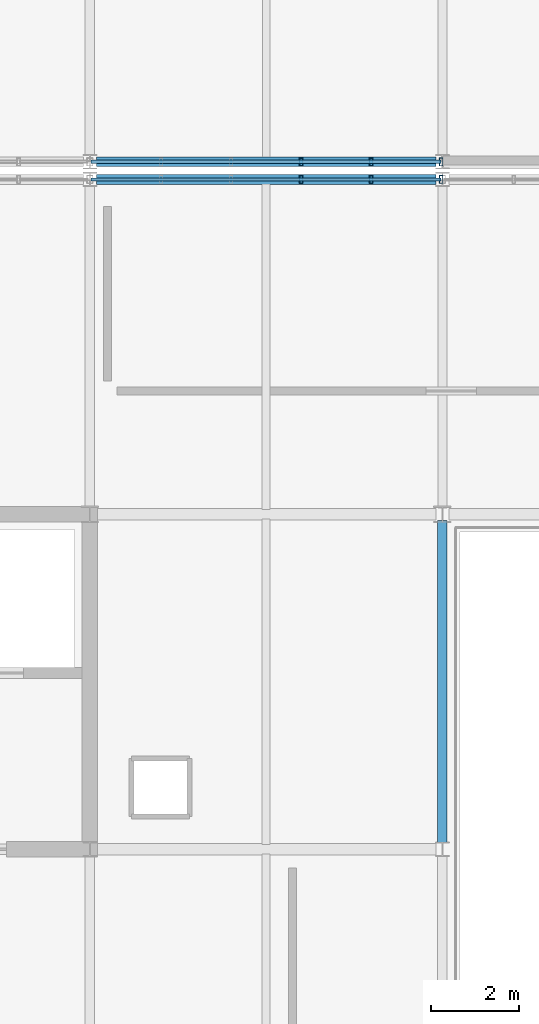
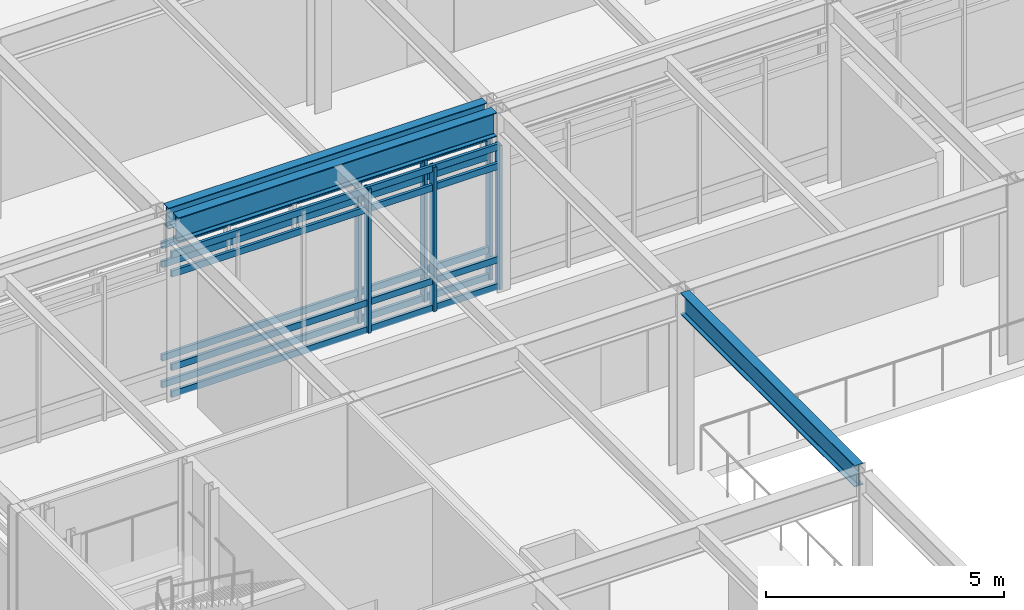
# One storey, part 48 of 104: 14 members, 3 beams, 2 elements without a shape of their own.
"""IFC4 building model written with IfcOpenShell, lengths in metres."""

from ifc_helpers import new_model, si_unit, direction, frame, origin, origin_2d, place, context, subcontext, project, spatial, hollow_rectangle, i_section, extrude, material, material_profile, profile_set, type_object, element, aggregate, save


model = new_model("IFC4")

# Units and contexts
model_context = context("Model", 3, precision=1e-05, world=origin(), true_north=direction((0.0, 1.0)))
body_context = subcontext(model_context, "Body", "Model", "MODEL_VIEW")
ifc_project = project(units=[si_unit("LENGTHUNIT", "METRE"), si_unit("AREAUNIT", "SQUARE_METRE"), si_unit("VOLUMEUNIT", "CUBIC_METRE"), si_unit("PLANEANGLEUNIT", "RADIAN"), si_unit("MASSUNIT", "GRAM", prefix="KILO")], contexts=[model_context])

# Site, building, storey
site_placement = place(None, origin())
site = spatial("IfcSite", under=ifc_project, at=site_placement, CompositionType="ELEMENT")
building_placement = place(site_placement, origin())
building = spatial("IfcBuilding", under=site, at=building_placement, Name="Zulena Civic Courthouse", CompositionType="ELEMENT")
storey_placement = place(building_placement, frame((0.0, 0.0, 10.800048828125)))
storey = spatial("IfcBuildingStorey", under=building, at=storey_placement, Name="L02", CompositionType="ELEMENT", Elevation=10.800048828125)

# Curtain wall, members
ifc_material_1 = material(Name="Double-silver low-E laminated solar-control glass", Category="glass")
curtain_wall_type = type_object("IfcCurtainWallType", Name="CW_7940x3690", PredefinedType="USERDEFINED", material=ifc_material_1)
curtain_wall_1_placement = place(storey_placement, origin())
curtain_wall_1 = element("IfcCurtainWall", 1, at=curtain_wall_1_placement, inside=storey, type_object=curtain_wall_type, Name="cw:V4:L02:1:1", ObjectType="UNITISED CURTAIN WALL", PredefinedType="USERDEFINED")
ifc_material_2 = material(Name="Bronze anodised thermally broken aluminium AA6063-T6", Category="aluminium")
ifc_material_profile_1 = material_profile(ifc_material_2, hollow_rectangle(XDim=0.074951171875, YDim=0.179931640625, WallThickness=0.0048828125, at=origin_2d()), Name="CWM180X75X5")
ifc_profile_set_1 = profile_set([ifc_material_profile_1], Name="Bronze anodised thermally broken aluminium AA6063-T6")
member_type_1 = type_object("IfcMemberType", Name="CWMullion_180x75", PredefinedType="MULLION", material=ifc_profile_set_1)
member_1_placement = place(storey_placement, frame((80.7939453125, 45.60009765625, 0.0), z_axis=(0.0, 0.0, 1.0), x_axis=(1.0, 0.0, 0.0)))
member_1 = element("IfcMember", 2, at=member_1_placement, type_object=member_type_1, Name="cw:V4:L02:1:1:mull:3", PredefinedType="MULLION", context=body_context, shape_type="SweptSolid", body=[
    extrude(hollow_rectangle(XDim=0.074951171875, YDim=0.179931640625, WallThickness=0.0048828125, at=origin_2d()), origin(), (0.0, 0.0, 1.0), 3.68994140625),
])
member_2_placement = place(storey_placement, frame((82.382080078125, 45.60009765625, 0.0), z_axis=(0.0, 0.0, 1.0), x_axis=(1.0, 0.0, 0.0)))
member_2 = element("IfcMember", 3, at=member_2_placement, type_object=member_type_1, Name="cw:V4:L02:1:1:mull:4", PredefinedType="MULLION", context=body_context, shape_type="SweptSolid", body=[
    extrude(hollow_rectangle(XDim=0.074951171875, YDim=0.179931640625, WallThickness=0.0048828125, at=origin_2d()), origin(), (0.0, 0.0, 1.0), 3.68994140625),
])
member_3_placement = place(storey_placement, frame((83.969970703125, 45.60009765625, 0.0), z_axis=(0.0, 0.0, 1.0), x_axis=(1.0, 0.0, 0.0)))
member_3 = element("IfcMember", 4, at=member_3_placement, type_object=member_type_1, Name="cw:V4:L02:1:1:mull:5", PredefinedType="MULLION", context=body_context, shape_type="SweptSolid", body=[
    extrude(hollow_rectangle(XDim=0.074951171875, YDim=0.179931640625, WallThickness=0.0048828125, at=origin_2d()), origin(), (0.0, 0.0, 1.0), 3.68994140625),
])

curtain_wall_2_placement = place(storey_placement, origin())
curtain_wall_2 = element("IfcCurtainWall", 5, at=curtain_wall_2_placement, inside=storey, type_object=curtain_wall_type, Name="cw:V5:L02:5:3", ObjectType="UNITISED CURTAIN WALL", PredefinedType="USERDEFINED")
member_4_placement = place(storey_placement, frame((83.969970703125, 46.0, 0.0), z_axis=(0.0, 0.0, 1.0), x_axis=(1.0, 0.0, 0.0)))
member_4 = element("IfcMember", 6, at=member_4_placement, type_object=member_type_1, Name="cw:V5:L02:5:3:mull:0", PredefinedType="MULLION", context=body_context, shape_type="SweptSolid", body=[
    extrude(hollow_rectangle(XDim=0.074951171875, YDim=0.179931640625, WallThickness=0.0048828125, at=origin_2d()), origin(), (0.0, 0.0, 1.0), 3.68994140625),
])
member_5_placement = place(storey_placement, frame((82.382080078125, 46.0, 0.0), z_axis=(0.0, 0.0, 1.0), x_axis=(1.0, 0.0, 0.0)))
member_5 = element("IfcMember", 7, at=member_5_placement, type_object=member_type_1, Name="cw:V5:L02:5:3:mull:1", PredefinedType="MULLION", context=body_context, shape_type="SweptSolid", body=[
    extrude(hollow_rectangle(XDim=0.074951171875, YDim=0.179931640625, WallThickness=0.0048828125, at=origin_2d()), origin(), (0.0, 0.0, 1.0), 3.68994140625),
])
member_6_placement = place(storey_placement, frame((80.7939453125, 46.0, 0.0), z_axis=(0.0, 0.0, 1.0), x_axis=(1.0, 0.0, 0.0)))
member_6 = element("IfcMember", 8, at=member_6_placement, type_object=member_type_1, Name="cw:V5:L02:5:3:mull:2", PredefinedType="MULLION", context=body_context, shape_type="SweptSolid", body=[
    extrude(hollow_rectangle(XDim=0.074951171875, YDim=0.179931640625, WallThickness=0.0048828125, at=origin_2d()), origin(), (0.0, 0.0, 1.0), 3.68994140625),
])

# Member
ifc_material_profile_2 = material_profile(ifc_material_2, hollow_rectangle(XDim=0.070068359375, YDim=0.1650390625, WallThickness=0.00390625, at=origin_2d()), Name="CWT165X70X4")
ifc_profile_set_2 = profile_set([ifc_material_profile_2], Name="Bronze anodised thermally broken aluminium AA6063-T6")
member_type_2 = type_object("IfcMemberType", Name="CWTransom_165x70", PredefinedType="USERDEFINED", material=ifc_profile_set_2)
member_7_placement = place(storey_placement, frame((76.030029296875, 45.60009765625, 0.06005859375), z_axis=(1.0, 0.0, 0.0), x_axis=(0.0, 1.0, 0.0)))
member_7 = element("IfcMember", 9, at=member_7_placement, type_object=member_type_2, Name="cw:V4:L02:1:1:tran:0", ObjectType="TRANSOM", PredefinedType="USERDEFINED", context=body_context, shape_type="SweptSolid", body=[
    extrude(hollow_rectangle(XDim=0.070068359375, YDim=0.1650390625, WallThickness=0.00390625, at=origin_2d()), origin(), (0.0, 0.0, 1.0), 7.93994140625),
])

member_8_placement = place(storey_placement, frame((76.030029296875, 45.60009765625, 0.75), z_axis=(1.0, 0.0, 0.0), x_axis=(0.0, 1.0, 0.0)))
member_8 = element("IfcMember", 10, at=member_8_placement, type_object=member_type_2, Name="cw:V4:L02:1:1:tran:1", ObjectType="TRANSOM", PredefinedType="USERDEFINED", context=body_context, shape_type="SweptSolid", body=[
    extrude(hollow_rectangle(XDim=0.070068359375, YDim=0.1650390625, WallThickness=0.00390625, at=origin_2d()), origin(), (0.0, 0.0, 1.0), 7.93994140625),
])

member_9_placement = place(storey_placement, frame((76.030029296875, 45.60009765625, 3.139892578125), z_axis=(1.0, 0.0, 0.0), x_axis=(0.0, 1.0, 0.0)))
member_9 = element("IfcMember", 11, at=member_9_placement, type_object=member_type_2, Name="cw:V4:L02:1:1:tran:2", ObjectType="TRANSOM", PredefinedType="USERDEFINED", context=body_context, shape_type="SweptSolid", body=[
    extrude(hollow_rectangle(XDim=0.070068359375, YDim=0.1650390625, WallThickness=0.00390625, at=origin_2d()), origin(), (0.0, 0.0, 1.0), 7.93994140625),
])

member_10_placement = place(storey_placement, frame((76.030029296875, 45.60009765625, 3.6298828125), z_axis=(1.0, 0.0, 0.0), x_axis=(0.0, 1.0, 0.0)))
member_10 = element("IfcMember", 12, at=member_10_placement, type_object=member_type_2, Name="cw:V4:L02:1:1:tran:3", ObjectType="TRANSOM", PredefinedType="USERDEFINED", context=body_context, shape_type="SweptSolid", body=[
    extrude(hollow_rectangle(XDim=0.070068359375, YDim=0.1650390625, WallThickness=0.00390625, at=origin_2d()), origin(), (0.0, 0.0, 1.0), 7.93994140625),
])

aggregate(curtain_wall_1, [member_1, member_2, member_3, member_7, member_8, member_9, member_10])

member_11_placement = place(storey_placement, frame((83.969970703125, 46.0, 0.06005859375), z_axis=(-1.0, 0.0, 0.0), x_axis=(0.0, -1.0, 0.0)))
member_11 = element("IfcMember", 13, at=member_11_placement, type_object=member_type_2, Name="cw:V5:L02:5:3:tran:0", ObjectType="TRANSOM", PredefinedType="USERDEFINED", context=body_context, shape_type="SweptSolid", body=[
    extrude(hollow_rectangle(XDim=0.070068359375, YDim=0.1650390625, WallThickness=0.00390625, at=origin_2d()), origin(), (0.0, 0.0, 1.0), 7.93994140625),
])

member_12_placement = place(storey_placement, frame((83.969970703125, 46.0, 0.75), z_axis=(-1.0, 0.0, 0.0), x_axis=(0.0, -1.0, 0.0)))
member_12 = element("IfcMember", 14, at=member_12_placement, type_object=member_type_2, Name="cw:V5:L02:5:3:tran:1", ObjectType="TRANSOM", PredefinedType="USERDEFINED", context=body_context, shape_type="SweptSolid", body=[
    extrude(hollow_rectangle(XDim=0.070068359375, YDim=0.1650390625, WallThickness=0.00390625, at=origin_2d()), origin(), (0.0, 0.0, 1.0), 7.93994140625),
])

member_13_placement = place(storey_placement, frame((83.969970703125, 46.0, 3.139892578125), z_axis=(-1.0, 0.0, 0.0), x_axis=(0.0, -1.0, 0.0)))
member_13 = element("IfcMember", 15, at=member_13_placement, type_object=member_type_2, Name="cw:V5:L02:5:3:tran:2", ObjectType="TRANSOM", PredefinedType="USERDEFINED", context=body_context, shape_type="SweptSolid", body=[
    extrude(hollow_rectangle(XDim=0.070068359375, YDim=0.1650390625, WallThickness=0.00390625, at=origin_2d()), origin(), (0.0, 0.0, 1.0), 7.93994140625),
])

member_14_placement = place(storey_placement, frame((83.969970703125, 46.0, 3.6298828125), z_axis=(-1.0, 0.0, 0.0), x_axis=(0.0, -1.0, 0.0)))
member_14 = element("IfcMember", 16, at=member_14_placement, type_object=member_type_2, Name="cw:V5:L02:5:3:tran:3", ObjectType="TRANSOM", PredefinedType="USERDEFINED", context=body_context, shape_type="SweptSolid", body=[
    extrude(hollow_rectangle(XDim=0.070068359375, YDim=0.1650390625, WallThickness=0.00390625, at=origin_2d()), origin(), (0.0, 0.0, 1.0), 7.93994140625),
])

aggregate(curtain_wall_2, [member_4, member_5, member_6, member_11, member_12, member_13, member_14])

# Beams
ifc_material_3 = material(Name="Steel ASTM A992 Grade 50", Category="steel")
ifc_material_profile_3 = material_profile(ifc_material_3, i_section(OverallWidth=0.214111328125, OverallDepth=0.549072265625, WebThickness=0.0146484375, FlangeThickness=0.023681640625, FilletRadius=0.0126953125, at=origin_2d()), Name="W21X93")
ifc_profile_set_3 = profile_set([ifc_material_profile_3], Name="Steel ASTM A992 Grade 50")
beam_type_1 = type_object("IfcBeamType", Name="Girder_W21X93", PredefinedType="BEAM", material=ifc_profile_set_3)
beam_1_placement = place(storey_placement, frame((84.0, 30.544921875, 4.3154296875), z_axis=(0.0, 1.0, 0.0), x_axis=(-1.0, 0.0, 0.0)))
element("IfcBeam", 17, at=beam_1_placement, inside=storey, type_object=beam_type_1, Name="beam:Y:V4:L02:84.0:30.4_38.0", PredefinedType="BEAM", context=body_context, shape_type="SweptSolid", body=[
    extrude(i_section(OverallWidth=0.214111328125, OverallDepth=0.549072265625, WebThickness=0.0146484375, FlangeThickness=0.023681640625, FilletRadius=0.0126953125, at=origin_2d()), origin(), (0.0, 0.0, 1.0), 7.31005859375),
])
ifc_material_profile_4 = material_profile(ifc_material_3, i_section(OverallWidth=0.2099609375, OverallDepth=0.537109375, WebThickness=0.010986328125, FlangeThickness=0.017333984375, FilletRadius=0.0126953125, at=origin_2d()), Name="W21X68")
ifc_profile_set_4 = profile_set([ifc_material_profile_4], Name="Steel ASTM A992 Grade 50")
beam_type_2 = type_object("IfcBeamType", Name="Spandrel_W21X68", PredefinedType="SPANDREL", material=ifc_profile_set_4)
beam_2_placement = place(storey_placement, frame((76.14501953125, 46.0, 4.321533203125), z_axis=(1.0, 0.0, 0.0), x_axis=(0.0, 1.0, 0.0)))
element("IfcBeam", 18, at=beam_2_placement, inside=storey, type_object=beam_type_2, Name="beam:X:V5:L02:46.0:76.0_84.0", PredefinedType="SPANDREL", context=body_context, shape_type="SweptSolid", body=[
    extrude(i_section(OverallWidth=0.2099609375, OverallDepth=0.537109375, WebThickness=0.010986328125, FlangeThickness=0.017333984375, FilletRadius=0.0126953125, at=origin_2d()), origin(), (0.0, 0.0, 1.0), 7.7099609375),
])
ifc_material_profile_5 = material_profile(ifc_material_3, i_section(OverallWidth=0.22998046875, OverallDepth=0.616943359375, WebThickness=0.01318359375, FlangeThickness=0.022216796875, FilletRadius=0.0126953125, at=origin_2d()), Name="W24X94")
ifc_profile_set_5 = profile_set([ifc_material_profile_5], Name="Steel ASTM A992 Grade 50")
beam_type_3 = type_object("IfcBeamType", Name="Spandrel_W24X94", PredefinedType="SPANDREL", material=ifc_profile_set_5)
beam_3_placement = place(storey_placement, frame((76.14501953125, 45.60009765625, 4.281494140625), z_axis=(1.0, 0.0, 0.0), x_axis=(0.0, 1.0, 0.0)))
element("IfcBeam", 19, at=beam_3_placement, inside=storey, type_object=beam_type_3, Name="beam:X:V4:L02:45.6:76.0_84.0", PredefinedType="SPANDREL", context=body_context, shape_type="SweptSolid", body=[
    extrude(i_section(OverallWidth=0.22998046875, OverallDepth=0.616943359375, WebThickness=0.01318359375, FlangeThickness=0.022216796875, FilletRadius=0.0126953125, at=origin_2d()), origin(), (0.0, 0.0, 1.0), 7.7099609375),
])

save(model, "model.ifc")
